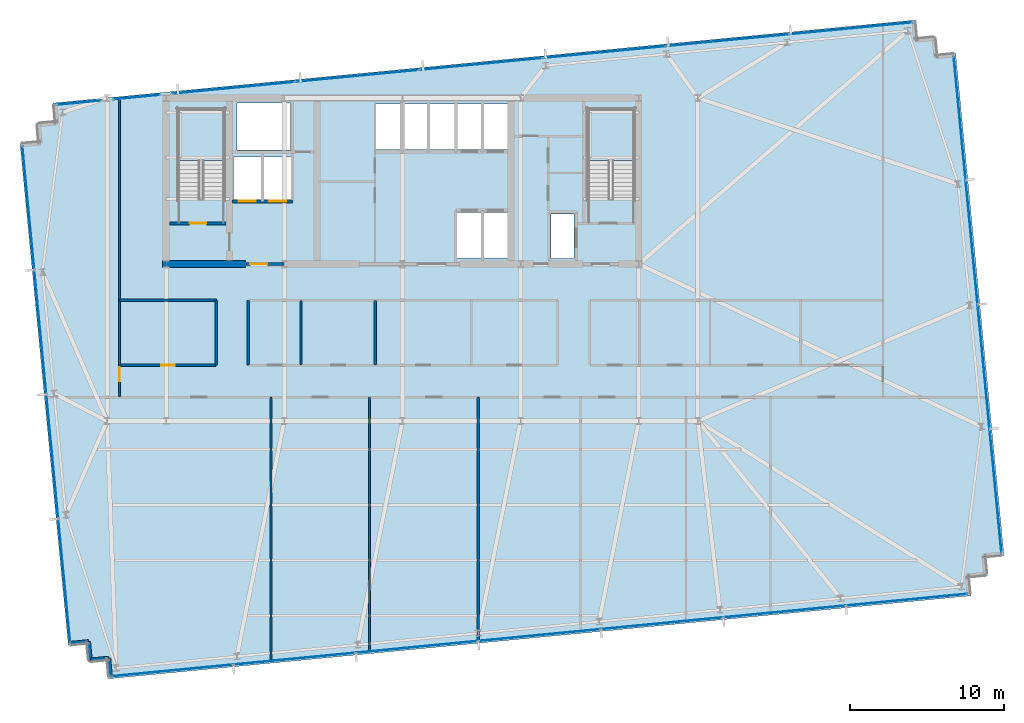
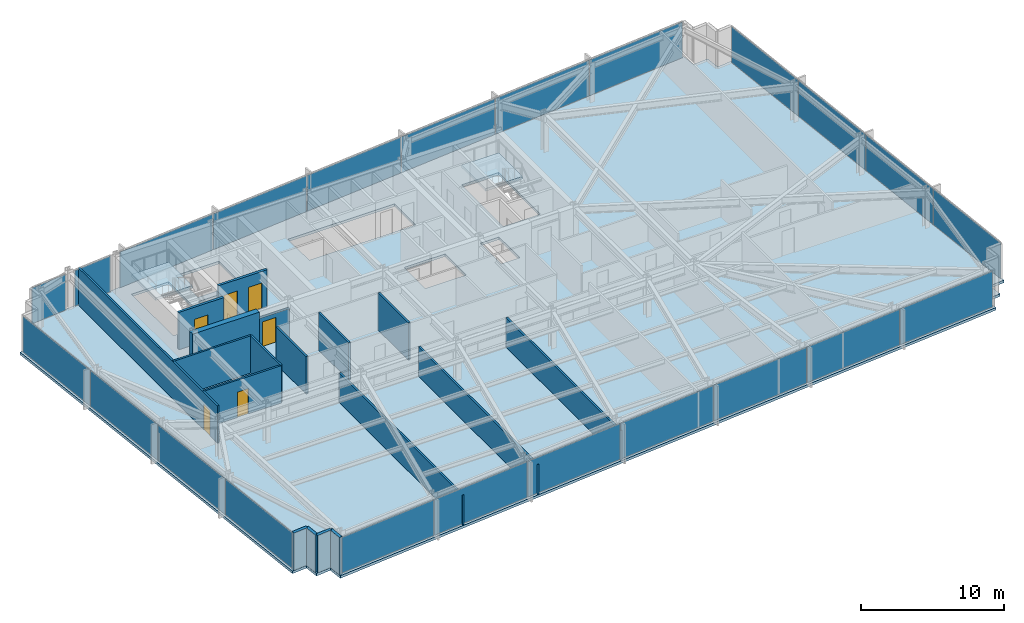
# One storey, part 24 of 33: 23 plates, 18 walls, 6 doors, 3 slabs, 6 openings, 8 elements without a shape of their own.
"""IFC4 building model written with IfcOpenShell, lengths in metres."""

from ifc_helpers import new_model, si_unit, direction, frame, frame_2d, origin, origin_2d, place, context, subcontext, project, spatial, polyline, rectangle, outline, extrude, material, layer, layer_set, type_object, element, fill, aggregate, save


model = new_model("IFC4")

# Units and contexts
model_context = context("Model", 3, precision=1e-05, world=origin(), true_north=direction((0.0, 1.0)))
body_context = subcontext(model_context, "Body", "Model", "MODEL_VIEW")
ifc_project = project(units=[si_unit("LENGTHUNIT", "METRE"), si_unit("AREAUNIT", "SQUARE_METRE"), si_unit("VOLUMEUNIT", "CUBIC_METRE"), si_unit("PLANEANGLEUNIT", "RADIAN"), si_unit("MASSUNIT", "GRAM", prefix="KILO")], contexts=[model_context])

# Site, building, storey
site_placement = place(None, origin())
site = spatial("IfcSite", under=ifc_project, at=site_placement, CompositionType="ELEMENT")
building_placement = place(site_placement, origin())
building = spatial("IfcBuilding", under=site, at=building_placement, Name="Yelkora Congress Tower", CompositionType="ELEMENT")
storey_placement = place(building_placement, frame((0.0, 0.0, 110.10009765625)))
storey = spatial("IfcBuildingStorey", under=building, at=storey_placement, Name="L29", CompositionType="ELEMENT", Elevation=110.10009765625)

# Curtain wall, plates
ifc_material_1 = material(Name="Anodised aluminium and insulated glass", Category="aluminium")
curtain_wall_type = type_object("IfcCurtainWallType", Name="CW-SYS-B2", PredefinedType="NOTDEFINED", material=ifc_material_1)
curtain_wall_1_placement = place(storey_placement, origin())
curtain_wall_1 = element("IfcCurtainWall", 1, at=curtain_wall_1_placement, inside=storey, type_object=curtain_wall_type, Name="L29 Unitised Curtain Wall 5", PredefinedType="NOTDEFINED")
ifc_material_2 = material(Name="Solar-control low-E glass unit B2", Category="glass")
ifc_layer_1 = layer(ifc_material_2, 0.0380859375)
ifc_layer_set_1 = layer_set([ifc_layer_1], Name="Solar-control low-E glass unit B2")
plate_type = type_object("IfcPlateType", Name="PLT-PN-B2", PredefinedType="CURTAIN_PANEL", material=ifc_layer_set_1)
plate_1_placement = place(storey_placement, frame((16.41650390625, 14.820068359375, 0.06494140625), z_axis=(0.0, 0.0, 1.0), x_axis=(-0.095842541913, 0.995396507508, 0.0)))
plate_1 = element("IfcPlate", 2, at=plate_1_placement, type_object=plate_type, Name="CW-B2 panel 1.1", PredefinedType="CURTAIN_PANEL", context=body_context, shape_type="SweptSolid", body=[
    extrude(rectangle(XDim=8.02490234375, YDim=0.0380859375, at=origin_2d()), origin(), (0.0, 0.0, 1.0), 3.050048828125),
])
plate_2_placement = place(storey_placement, frame((15.638916015625, 22.895263671875, 0.06494140625), z_axis=(0.0, 0.0, 1.0), x_axis=(-0.095842541913, 0.995396507508, 0.0)))
plate_2 = element("IfcPlate", 3, at=plate_2_placement, type_object=plate_type, Name="CW-B2 panel 2.1", PredefinedType="CURTAIN_PANEL", context=body_context, shape_type="SweptSolid", body=[
    extrude(rectangle(XDim=8.06005859375, YDim=0.0380859375, at=origin_2d()), origin(), (0.0, 0.0, 1.0), 3.050048828125),
])
plate_3_placement = place(storey_placement, frame((14.859619140625, 30.98779296875, 0.06494140625), z_axis=(0.0, 0.0, 1.0), x_axis=(-0.095842541913, 0.995396507508, 0.0)))
plate_3 = element("IfcPlate", 4, at=plate_3_placement, type_object=plate_type, Name="CW-B2 panel 3.1", PredefinedType="CURTAIN_PANEL", context=body_context, shape_type="SweptSolid", body=[
    extrude(rectangle(XDim=8.06005859375, YDim=0.0380859375, at=origin_2d()), origin(), (0.0, 0.0, 1.0), 3.050048828125),
])
plate_4_placement = place(storey_placement, frame((14.082275390625, 39.06298828125, 0.06494140625), z_axis=(0.0, 0.0, 1.0), x_axis=(-0.095842541913, 0.995396507508, 0.0)))
plate_4 = element("IfcPlate", 5, at=plate_4_placement, type_object=plate_type, Name="CW-B2 panel 4.1", PredefinedType="CURTAIN_PANEL", context=body_context, shape_type="SweptSolid", body=[
    extrude(rectangle(XDim=8.02490234375, YDim=0.0380859375, at=origin_2d()), origin(), (0.0, 0.0, 1.0), 3.050048828125),
])
aggregate(curtain_wall_1, [plate_1, plate_2, plate_3, plate_4])

# Curtain wall, plate
curtain_wall_2_placement = place(storey_placement, origin())
curtain_wall_2 = element("IfcCurtainWall", 6, at=curtain_wall_2_placement, inside=storey, type_object=curtain_wall_type, Name="L29 Unitised Curtain Wall 10 (1)", PredefinedType="NOTDEFINED")
plate_5_placement = place(storey_placement, frame((17.35888671875, 45.89111328125, 0.06494140625), z_axis=(0.0, 0.0, 1.0), x_axis=(0.99539681521, 0.095839346142, 0.0)))
plate_5 = element("IfcPlate", 7, at=plate_5_placement, type_object=plate_type, Name="CW-B2 panel 1.1", PredefinedType="CURTAIN_PANEL", context=body_context, shape_type="SweptSolid", body=[
    extrude(rectangle(XDim=2.89208984375, YDim=0.0380859375, at=origin_2d()), origin(), (0.0, 0.0, 1.0), 3.050048828125),
])
aggregate(curtain_wall_2, [plate_5])

curtain_wall_3_placement = place(storey_placement, origin())
curtain_wall_3 = element("IfcCurtainWall", 8, at=curtain_wall_3_placement, inside=storey, type_object=curtain_wall_type, Name="L29 Unitised Curtain Wall 10 (2)", PredefinedType="NOTDEFINED")
plate_6_placement = place(storey_placement, frame((21.1201171875, 46.253173828125, 0.06494140625), z_axis=(0.0, 0.0, 1.0), x_axis=(0.99539661748, 0.095841399764, 0.0)))
plate_6 = element("IfcPlate", 9, at=plate_6_placement, type_object=plate_type, Name="CW-B2 panel 1.1", PredefinedType="CURTAIN_PANEL", context=body_context, shape_type="SweptSolid", body=[
    extrude(rectangle(XDim=3.05078125, YDim=0.0380859375, at=origin_2d()), origin(), (0.0, 0.0, 1.0), 3.050048828125),
])
aggregate(curtain_wall_3, [plate_6])

# Curtain wall, plates
curtain_wall_4_placement = place(storey_placement, origin())
curtain_wall_4 = element("IfcCurtainWall", 10, at=curtain_wall_4_placement, inside=storey, type_object=curtain_wall_type, Name="L29 Unitised Curtain Wall 10 (3)", PredefinedType="NOTDEFINED")
plate_7_placement = place(storey_placement, frame((27.409423828125, 46.858642578125, 0.06494140625), z_axis=(0.0, 0.0, 1.0), x_axis=(0.995396344153, 0.095844238468, 0.0)))
plate_7 = element("IfcPlate", 11, at=plate_7_placement, type_object=plate_type, Name="CW-B2 panel 1.1", PredefinedType="CURTAIN_PANEL", context=body_context, shape_type="SweptSolid", body=[
    extrude(rectangle(XDim=7.97216796875, YDim=0.0380859375, at=origin_2d()), origin(), (0.0, 0.0, 1.0), 3.050048828125),
])
plate_8_placement = place(storey_placement, frame((35.431884765625, 47.631103515625, 0.06494140625), z_axis=(0.0, 0.0, 1.0), x_axis=(0.995396344153, 0.095844238468, 0.0)))
plate_8 = element("IfcPlate", 12, at=plate_8_placement, type_object=plate_type, Name="CW-B2 panel 2.1", PredefinedType="CURTAIN_PANEL", context=body_context, shape_type="SweptSolid", body=[
    extrude(rectangle(XDim=8.007080078125, YDim=0.0380859375, at=origin_2d()), origin(), (0.0, 0.0, 1.0), 3.050048828125),
])
plate_9_placement = place(storey_placement, frame((43.471923828125, 48.4052734375, 0.06494140625), z_axis=(0.0, 0.0, 1.0), x_axis=(0.995396344153, 0.095844238468, 0.0)))
plate_9 = element("IfcPlate", 13, at=plate_9_placement, type_object=plate_type, Name="CW-B2 panel 3.1", PredefinedType="CURTAIN_PANEL", context=body_context, shape_type="SweptSolid", body=[
    extrude(rectangle(XDim=8.007080078125, YDim=0.0380859375, at=origin_2d()), origin(), (0.0, 0.0, 1.0), 3.050048828125),
])
plate_10_placement = place(storey_placement, frame((51.511962890625, 49.179443359375, 0.06494140625), z_axis=(0.0, 0.0, 1.0), x_axis=(0.995396344153, 0.095844238468, 0.0)))
plate_10 = element("IfcPlate", 14, at=plate_10_placement, type_object=plate_type, Name="CW-B2 panel 4.1", PredefinedType="CURTAIN_PANEL", context=body_context, shape_type="SweptSolid", body=[
    extrude(rectangle(XDim=8.007080078125, YDim=0.0380859375, at=origin_2d()), origin(), (0.0, 0.0, 1.0), 3.050048828125),
])
plate_11_placement = place(storey_placement, frame((59.552001953125, 49.95361328125, 0.06494140625), z_axis=(0.0, 0.0, 1.0), x_axis=(0.995396344153, 0.095844238468, 0.0)))
plate_11 = element("IfcPlate", 15, at=plate_11_placement, type_object=plate_type, Name="CW-B2 panel 5.1", PredefinedType="CURTAIN_PANEL", context=body_context, shape_type="SweptSolid", body=[
    extrude(rectangle(XDim=8.007080078125, YDim=0.0380859375, at=origin_2d()), origin(), (0.0, 0.0, 1.0), 3.050048828125),
])
plate_12_placement = place(storey_placement, frame((67.574462890625, 50.72607421875, 0.06494140625), z_axis=(0.0, 0.0, 1.0), x_axis=(0.995396344153, 0.095844238468, 0.0)))
plate_12 = element("IfcPlate", 16, at=plate_12_placement, type_object=plate_type, Name="CW-B2 panel 6.1", PredefinedType="CURTAIN_PANEL", context=body_context, shape_type="SweptSolid", body=[
    extrude(rectangle(XDim=7.97216796875, YDim=0.0380859375, at=origin_2d()), origin(), (0.0, 0.0, 1.0), 3.050048828125),
])
aggregate(curtain_wall_4, [plate_7, plate_8, plate_9, plate_10, plate_11, plate_12])

curtain_wall_5_placement = place(storey_placement, origin())
curtain_wall_5 = element("IfcCurtainWall", 17, at=curtain_wall_5_placement, inside=storey, type_object=curtain_wall_type, Name="L29 Unitised Curtain Wall 15", PredefinedType="NOTDEFINED")
plate_13_placement = place(storey_placement, frame((74.6220703125, 44.892333984375, 0.06494140625), z_axis=(0.0, 0.0, 1.0), x_axis=(0.095842541913, -0.995396507508, 0.0)))
plate_13 = element("IfcPlate", 18, at=plate_13_placement, type_object=plate_type, Name="CW-B2 panel 1.1", PredefinedType="CURTAIN_PANEL", context=body_context, shape_type="SweptSolid", body=[
    extrude(rectangle(XDim=8.02490234375, YDim=0.0380859375, at=origin_2d()), origin(), (0.0, 0.0, 1.0), 3.050048828125),
])
plate_14_placement = place(storey_placement, frame((75.399658203125, 36.817138671875, 0.06494140625), z_axis=(0.0, 0.0, 1.0), x_axis=(0.095842541913, -0.995396507508, 0.0)))
plate_14 = element("IfcPlate", 19, at=plate_14_placement, type_object=plate_type, Name="CW-B2 panel 2.1", PredefinedType="CURTAIN_PANEL", context=body_context, shape_type="SweptSolid", body=[
    extrude(rectangle(XDim=8.06005859375, YDim=0.0380859375, at=origin_2d()), origin(), (0.0, 0.0, 1.0), 3.050048828125),
])
plate_15_placement = place(storey_placement, frame((76.178955078125, 28.724609375, 0.06494140625), z_axis=(0.0, 0.0, 1.0), x_axis=(0.095842541913, -0.995396507508, 0.0)))
plate_15 = element("IfcPlate", 20, at=plate_15_placement, type_object=plate_type, Name="CW-B2 panel 3.1", PredefinedType="CURTAIN_PANEL", context=body_context, shape_type="SweptSolid", body=[
    extrude(rectangle(XDim=8.06005859375, YDim=0.0380859375, at=origin_2d()), origin(), (0.0, 0.0, 1.0), 3.050048828125),
])
plate_16_placement = place(storey_placement, frame((76.95654296875, 20.6494140625, 0.06494140625), z_axis=(0.0, 0.0, 1.0), x_axis=(0.095842541913, -0.995396507508, 0.0)))
plate_16 = element("IfcPlate", 21, at=plate_16_placement, type_object=plate_type, Name="CW-B2 panel 4.1", PredefinedType="CURTAIN_PANEL", context=body_context, shape_type="SweptSolid", body=[
    extrude(rectangle(XDim=8.02490234375, YDim=0.0380859375, at=origin_2d()), origin(), (0.0, 0.0, 1.0), 3.050048828125),
])
aggregate(curtain_wall_5, [plate_13, plate_14, plate_15, plate_16])

curtain_wall_6_placement = place(storey_placement, origin())
curtain_wall_6 = element("IfcCurtainWall", 22, at=curtain_wall_6_placement, inside=storey, type_object=curtain_wall_type, Name="L29 Unitised Curtain Wall 20", PredefinedType="NOTDEFINED")
plate_17_placement = place(storey_placement, frame((71.1884765625, 13.58154296875, 0.06494140625), z_axis=(0.0, 0.0, 1.0), x_axis=(-0.995396333816, -0.095844345816, 0.0)))
plate_17 = element("IfcPlate", 23, at=plate_17_placement, type_object=plate_type, Name="CW-B2 panel 1.1", PredefinedType="CURTAIN_PANEL", context=body_context, shape_type="SweptSolid", body=[
    extrude(rectangle(XDim=7.89794921875, YDim=0.0380859375, at=origin_2d()), origin(), (0.0, 0.0, 1.0), 3.050048828125),
])
plate_18_placement = place(storey_placement, frame((63.23974609375, 12.816162109375, 0.06494140625), z_axis=(0.0, 0.0, 1.0), x_axis=(-0.995396333816, -0.095844345816, 0.0)))
plate_18 = element("IfcPlate", 24, at=plate_18_placement, type_object=plate_type, Name="CW-B2 panel 2.1", PredefinedType="CURTAIN_PANEL", context=body_context, shape_type="SweptSolid", body=[
    extrude(rectangle(XDim=7.932861328125, YDim=0.0380859375, at=origin_2d()), origin(), (0.0, 0.0, 1.0), 3.050048828125),
])
plate_19_placement = place(storey_placement, frame((55.273681640625, 12.049072265625, 0.06494140625), z_axis=(0.0, 0.0, 1.0), x_axis=(-0.995396333816, -0.095844345816, 0.0)))
plate_19 = element("IfcPlate", 25, at=plate_19_placement, type_object=plate_type, Name="CW-B2 panel 3.1", PredefinedType="CURTAIN_PANEL", context=body_context, shape_type="SweptSolid", body=[
    extrude(rectangle(XDim=7.932861328125, YDim=0.0380859375, at=origin_2d()), origin(), (0.0, 0.0, 1.0), 3.050048828125),
])
plate_20_placement = place(storey_placement, frame((47.307861328125, 11.281982421875, 0.06494140625), z_axis=(0.0, 0.0, 1.0), x_axis=(-0.995396333816, -0.095844345816, 0.0)))
plate_20 = element("IfcPlate", 26, at=plate_20_placement, type_object=plate_type, Name="CW-B2 panel 4.1", PredefinedType="CURTAIN_PANEL", context=body_context, shape_type="SweptSolid", body=[
    extrude(rectangle(XDim=7.932861328125, YDim=0.0380859375, at=origin_2d()), origin(), (0.0, 0.0, 1.0), 3.050048828125),
])
plate_21_placement = place(storey_placement, frame((39.341796875, 10.51513671875, 0.06494140625), z_axis=(0.0, 0.0, 1.0), x_axis=(-0.995396333816, -0.095844345816, 0.0)))
plate_21 = element("IfcPlate", 27, at=plate_21_placement, type_object=plate_type, Name="CW-B2 panel 5.1", PredefinedType="CURTAIN_PANEL", context=body_context, shape_type="SweptSolid", body=[
    extrude(rectangle(XDim=7.932861328125, YDim=0.0380859375, at=origin_2d()), origin(), (0.0, 0.0, 1.0), 3.050048828125),
])
plate_22_placement = place(storey_placement, frame((31.375732421875, 9.748046875, 0.06494140625), z_axis=(0.0, 0.0, 1.0), x_axis=(-0.995396333816, -0.095844345816, 0.0)))
plate_22 = element("IfcPlate", 28, at=plate_22_placement, type_object=plate_type, Name="CW-B2 panel 6.1", PredefinedType="CURTAIN_PANEL", context=body_context, shape_type="SweptSolid", body=[
    extrude(rectangle(XDim=7.932861328125, YDim=0.0380859375, at=origin_2d()), origin(), (0.0, 0.0, 1.0), 3.050048828125),
])
plate_23_placement = place(storey_placement, frame((23.42724609375, 8.982666015625, 0.06494140625), z_axis=(0.0, 0.0, 1.0), x_axis=(-0.995396333816, -0.095844345816, 0.0)))
plate_23 = element("IfcPlate", 29, at=plate_23_placement, type_object=plate_type, Name="CW-B2 panel 7.1", PredefinedType="CURTAIN_PANEL", context=body_context, shape_type="SweptSolid", body=[
    extrude(rectangle(XDim=7.89794921875, YDim=0.0380859375, at=origin_2d()), origin(), (0.0, 0.0, 1.0), 3.050048828125),
])
aggregate(curtain_wall_6, [plate_17, plate_18, plate_19, plate_20, plate_21, plate_22, plate_23])

# Stair, slab
ifc_material_3 = material(Name="Concrete C40/50", Category="concrete")
stair_type = type_object("IfcStairType", Name="STAIR-HT-1420-R20-170", PredefinedType="HALF_TURN_STAIR", material=ifc_material_3)
stair_1_placement = place(storey_placement, origin())
stair_1 = element("IfcStair", 30, at=stair_1_placement, inside=storey, type_object=stair_type, Name="West Core Protected Exit Stair ST-01 (L29)", PredefinedType="HALF_TURN_STAIR")
ifc_layer_2 = layer(ifc_material_3, 0.219970703125)
ifc_layer_set_2 = layer_set([ifc_layer_2], Name="Concrete C40/50")
slab_type_1 = type_object("IfcSlabType", Name="SLAB-LANDING-220", PredefinedType="LANDING", material=ifc_layer_set_2)
slab_1_placement = place(storey_placement, frame((0.0, 0.0, 1.47998046875)))
slab_1 = element("IfcSlab", 31, at=slab_1_placement, type_object=slab_type_1, Name="ST-01 L29 Half Landing 1", PredefinedType="LANDING", context=body_context, shape_type="SweptSolid", body=[
    extrude(outline(polyline([(26.820068359375, 42.1201171875), (26.820068359375, 45.469970703125), (23.820068359375, 45.469970703125), (23.820068359375, 42.1201171875), (26.820068359375, 42.1201171875)])), origin(), (0.0, 0.0, 1.0), 0.219970703125),
])
aggregate(stair_1, [slab_1])

stair_2_placement = place(storey_placement, origin())
stair_2 = element("IfcStair", 32, at=stair_2_placement, inside=storey, type_object=stair_type, Name="East Core Protected Exit Stair ST-02 (L29)", PredefinedType="HALF_TURN_STAIR")
slab_2_placement = place(storey_placement, frame((0.0, 0.0, 1.47998046875)))
slab_2 = element("IfcSlab", 33, at=slab_2_placement, type_object=slab_type_1, Name="ST-02 L29 Half Landing 1", PredefinedType="LANDING", context=body_context, shape_type="SweptSolid", body=[
    extrude(outline(polyline([(53.4599609375, 42.1201171875), (53.4599609375, 45.469970703125), (50.4599609375, 45.469970703125), (50.4599609375, 42.1201171875), (53.4599609375, 42.1201171875)])), origin(), (0.0, 0.0, 1.0), 0.219970703125),
])
aggregate(stair_2, [slab_2])

# Slab
ifc_layer_3 = layer(ifc_material_3, 0.219970703125)
ifc_layer_set_3 = layer_set([ifc_layer_3], Name="Concrete C40/50")
slab_type_2 = type_object("IfcSlabType", Name="SLAB-TWR-220", PredefinedType="FLOOR", material=ifc_layer_set_3)
slab_3_placement = place(storey_placement, frame((0.0, 0.0, -0.22021484375)))
element("IfcSlab", 34, at=slab_3_placement, inside=storey, type_object=slab_type_2, Name="L29 Structural Floor Slab", PredefinedType="FLOOR", context=body_context, shape_type="SweptSolid", body=[
    extrude(outline(polyline([(19.30078125, 8.444580078125), (75.341552734375, 13.8408203125), (75.2265625, 15.035400390625), (76.421142578125, 15.150390625), (76.30615234375, 16.3447265625), (77.50048828125, 16.459716796875), (74.356689453125, 49.10888671875), (73.162353515625, 48.99365234375), (73.04736328125, 50.188232421875), (71.852783203125, 50.0732421875), (71.73779296875, 51.267578125), (15.697021484375, 45.87158203125), (15.81201171875, 44.677001953125), (14.61767578125, 44.56201171875), (14.732666015625, 43.36767578125), (13.5380859375, 43.252685546875), (16.681884765625, 10.603515625), (17.876220703125, 10.718505859375), (17.9912109375, 9.524169921875), (19.185791015625, 9.63916015625), (19.30078125, 8.444580078125)]), holes=[polyline([(23.820068359375, 39.6298828125), (26.820068359375, 39.6298828125), (26.820068359375, 45.469970703125), (23.820068359375, 45.469970703125), (23.820068359375, 39.6298828125)]), polyline([(50.4599609375, 39.6298828125), (53.4599609375, 39.6298828125), (53.4599609375, 45.469970703125), (50.4599609375, 45.469970703125), (50.4599609375, 39.6298828125)]), polyline([(48.050048828125, 35.75), (49.550048828125, 35.75), (49.550048828125, 38.64990234375), (48.050048828125, 38.64990234375), (48.050048828125, 35.75)]), polyline([(36.64990234375, 42.85009765625), (45.25, 42.85009765625), (45.25, 45.800048828125), (36.64990234375, 45.800048828125), (36.64990234375, 42.85009765625)]), polyline([(41.949951171875, 35.800048828125), (45.25, 35.800048828125), (45.25, 38.75), (41.949951171875, 38.75), (41.949951171875, 35.800048828125)]), polyline([(27.419921875, 39.60009765625), (31.179931640625, 39.60009765625), (31.179931640625, 42.35009765625), (27.419921875, 42.35009765625), (27.419921875, 39.60009765625)]), polyline([(27.64990234375, 42.820068359375), (31.1201171875, 42.820068359375), (31.1201171875, 45.8798828125), (27.64990234375, 45.8798828125), (27.64990234375, 42.820068359375)])]), origin(), (0.0, 0.0, 1.0), 0.22021484375),
])

# Walls
ifc_material_4 = material(Name="Concrete C60/75", Category="concrete")
ifc_layer_4 = layer(ifc_material_4, 0.449951171875)
ifc_layer_set_4 = layer_set([ifc_layer_4], Name="Concrete C60/75")
wall_type_1 = type_object("IfcWallType", Name="WALL-CORE-INT-450", PredefinedType="SHEAR", material=ifc_layer_set_4)
wall_1_placement = place(storey_placement, frame((22.81494140625, 35.39990234375, 0.0), z_axis=(0.0, 0.0, 1.0), x_axis=(1.0, 0.0, 0.0)))
element("IfcWall", 35, at=wall_1_placement, inside=storey, type_object=wall_type_1, Name="L29 Rear Core South-West Shear Wall", PredefinedType="SHEAR", context=body_context, shape_type="SweptSolid", body=[
    extrude(rectangle(XDim=5.385009765625, YDim=0.449951171875, at=frame_2d((2.6923828125, 0.0))), origin(), (0.0, 0.0, 1.0), 3.179931640625),
])
ifc_layer_5 = layer(ifc_material_3, 0.239990234375)
ifc_layer_set_5 = layer_set([ifc_layer_5], Name="Concrete C40/50")
wall_type_2 = type_object("IfcWallType", Name="WALL-EXT-LIMESTONE-240", PredefinedType="SOLIDWALL", material=ifc_layer_set_5)
for number, where, z_axis, x_axis, name in (
    (36, (19.4267578125, 8.597412109375, 0.0), (0.0, 0.0, 1.0), (-0.095817067274, 0.995398960025, 0.0), "L29 Serrated Corner Limestone Pier 1"),
    (37, (19.311767578125, 9.7919921875, 0.0), (0.0, 0.0, 1.0), (-0.995398960025, -0.095817067274, 0.0), "L29 Serrated Corner Limestone Pier 2"),
):
    element("IfcWall", number, at=place(storey_placement, frame(where, z_axis=z_axis, x_axis=x_axis)), inside=storey, type_object=wall_type_2, Name=name, PredefinedType="SOLIDWALL", context=body_context, shape_type="SweptSolid", body=[
        extrude(rectangle(XDim=1.2001953125, YDim=0.239990234375, at=frame_2d((0.60009765625, 0.0))), origin(), (0.0, 0.0, 1.0), 3.179931640625),
    ])
wall_2_placement = place(storey_placement, frame((18.1171875, 9.677001953125, 0.0), z_axis=(0.0, 0.0, 1.0), x_axis=(-0.095836473879, 0.995397091755, 0.0)))
element("IfcWall", 38, at=wall_2_placement, inside=storey, type_object=wall_type_2, Name="L29 Serrated Corner Limestone Pier 3", PredefinedType="SOLIDWALL", context=body_context, shape_type="SweptSolid", body=[
    extrude(rectangle(XDim=1.199951171875, YDim=0.239990234375, at=frame_2d((0.60009765625, 0.0))), origin(), (0.0, 0.0, 1.0), 3.179931640625),
])
wall_3_placement = place(storey_placement, frame((18.002197265625, 10.871337890625, 0.0), z_axis=(0.0, 0.0, 1.0), x_axis=(-0.995398960025, -0.095817067274, 0.0)))
element("IfcWall", 39, at=wall_3_placement, inside=storey, type_object=wall_type_2, Name="L29 Serrated Corner Limestone Pier 4", PredefinedType="SOLIDWALL", context=body_context, shape_type="SweptSolid", body=[
    extrude(rectangle(XDim=1.2001953125, YDim=0.239990234375, at=frame_2d((0.60009765625, 0.0))), origin(), (0.0, 0.0, 1.0), 3.179931640625),
])
ifc_material_5 = material(Name="Acoustic metal-stud gypsum partition", Category="gypsum")
ifc_layer_6 = layer(ifc_material_5, 0.14990234375)
ifc_layer_set_6 = layer_set([ifc_layer_6], Name="Acoustic metal-stud gypsum partition")
wall_type_3 = type_object("IfcWallType", Name="WALL-INT-150-NR", PredefinedType="PARTITIONING", material=ifc_layer_set_6)
wall_4_placement = place(storey_placement, frame((29.85791015625, 9.54150390625, 0.0), z_axis=(0.0, 0.0, 1.0), x_axis=(0.0, 1.0, 0.0)))
element("IfcWall", 40, at=wall_4_placement, inside=storey, type_object=wall_type_3, Name="L29 Partition Wall 27", PredefinedType="PARTITIONING", context=body_context, shape_type="SweptSolid", body=[
    extrude(rectangle(XDim=17.228515625, YDim=0.14990234375, at=frame_2d((8.6142578125, 0.0))), origin(), (0.0, 0.0, 1.0), 2.52490234375),
])
wall_5_placement = place(storey_placement, frame((36.259033203125, 10.157958984375, 0.0), z_axis=(0.0, 0.0, 1.0), x_axis=(0.0, 1.0, 0.0)))
element("IfcWall", 41, at=wall_5_placement, inside=storey, type_object=wall_type_3, Name="L29 Partition Wall 28", PredefinedType="PARTITIONING", context=body_context, shape_type="SweptSolid", body=[
    extrude(rectangle(XDim=16.612060546875, YDim=0.14990234375, at=frame_2d((8.30615234375, 0.0))), origin(), (0.0, 0.0, 1.0), 2.52490234375),
])
wall_6_placement = place(storey_placement, frame((43.333984375, 10.839111328125, 0.0), z_axis=(0.0, 0.0, 1.0), x_axis=(0.0, 1.0, 0.0)))
element("IfcWall", 42, at=wall_6_placement, inside=storey, type_object=wall_type_3, Name="L29 Partition Wall 29", PredefinedType="PARTITIONING", context=body_context, shape_type="SweptSolid", body=[
    extrude(rectangle(XDim=15.930908203125, YDim=0.14990234375, at=frame_2d((7.96533203125, 0.0))), origin(), (0.0, 0.0, 1.0), 2.52490234375),
])

# Wall, opening, door
wall_7_placement = place(storey_placement, frame((20.008056640625, 26.75, 0.0), z_axis=(0.0, 0.0, 1.0), x_axis=(0.0, 1.0, 0.0)))
wall_7 = element("IfcWall", 43, at=wall_7_placement, inside=storey, type_object=wall_type_3, Name="L29 Partition Wall 34", PredefinedType="PARTITIONING", context=body_context, shape_type="SweptSolid", body=[
    extrude(rectangle(XDim=19.456298828125, YDim=0.14990234375, at=frame_2d((9.72802734375, 0.0))), origin(), (0.0, 0.0, 1.0), 3.179931640625),
])
opening_1_placement = place(wall_7_placement, frame((1.030029296875, 0.0, 0.0)))
opening_1 = element("IfcOpeningElement", 44, at=opening_1_placement, cuts=wall_7, Name="Opening DR-090N", PredefinedType="OPENING", context=body_context, shape_type="SweptSolid", body=[
    extrude(rectangle(XDim=0.89990234375, YDim=2.14990234375, at=frame_2d((0.449951171875, 1.074951171875))), frame((0.0, 0.0849609375, 0.0), z_axis=(0.0, -1.0, 0.0), x_axis=(1.0, 0.0, 0.0)), (0.0, 0.0, 1.0), 0.169921875),
])
ifc_material_6 = material(Name="Moisture-resistant laminate door leaf", Category="wood")
door_type_1 = type_object("IfcDoorType", Name="DOOR-INT-900", OperationType="NOTDEFINED", PredefinedType="DOOR", material=ifc_material_6)
door_1_placement = place(opening_1_placement, origin())
door_1 = element("IfcDoor", 45, at=door_1_placement, inside=storey, type_object=door_type_1, Name="L29 W Wing Door", OperationType="SINGLE_SWING_RIGHT", OverallHeight=2.14990234375, OverallWidth=0.89990234375, PredefinedType="DOOR", context=body_context, shape_type="SweptSolid", body=[
    extrude(rectangle(XDim=0.89990234375, YDim=2.14990234375, at=frame_2d((0.449951171875, 1.074951171875))), frame((0.0, 0.02490234375, 0.0), z_axis=(0.0, -1.0, 0.0), x_axis=(1.0, 0.0, 0.0)), (0.0, 0.0, 1.0), 0.050048828125),
])
fill(opening_1, door_1)

# Walls
for number, where, z_axis, x_axis, name in (
    (46, (26.300048828125, 28.830078125, 0.0), (0.0, 0.0, 1.0), (0.0, 1.0, 0.0), "L29 Partition Wall 36"),
    (47, (28.3798828125, 28.830078125, 0.0), (0.0, 0.0, 1.0), (0.0, 1.0, 0.0), "L29 Partition Wall 37"),
):
    element("IfcWall", number, at=place(storey_placement, frame(where, z_axis=z_axis, x_axis=x_axis)), inside=storey, type_object=wall_type_3, Name=name, PredefinedType="PARTITIONING", context=body_context, shape_type="SweptSolid", body=[
        extrude(rectangle(XDim=4.219970703125, YDim=0.14990234375, at=frame_2d((2.10986328125, 0.0))), origin(), (0.0, 0.0, 1.0), 3.179931640625),
    ])
wall_8_placement = place(storey_placement, frame((20.008056640625, 33.050048828125, 0.0), z_axis=(0.0, 0.0, 1.0), x_axis=(1.0, 0.0, 0.0)))
element("IfcWall", 48, at=wall_8_placement, inside=storey, type_object=wall_type_3, Name="L29 Partition Wall 40", PredefinedType="PARTITIONING", context=body_context, shape_type="SweptSolid", body=[
    extrude(rectangle(XDim=6.2919921875, YDim=0.14990234375, at=frame_2d((3.14599609375, 0.0))), origin(), (0.0, 0.0, 1.0), 3.179931640625),
])

# Wall, opening, door
wall_9_placement = place(storey_placement, frame((20.028076171875, 28.830078125, 0.0), z_axis=(0.0, 0.0, 1.0), x_axis=(1.0, 0.0, 0.0)))
wall_9 = element("IfcWall", 49, at=wall_9_placement, inside=storey, type_object=wall_type_3, Name="L29 Partition Wall 43", PredefinedType="PARTITIONING", context=body_context, shape_type="SweptSolid", body=[
    extrude(rectangle(XDim=6.261962890625, YDim=0.14990234375, at=frame_2d((3.130859375, 0.0))), origin(), (0.0, 0.0, 1.0), 3.179931640625),
])
opening_2_placement = place(wall_9_placement, frame((2.680908203125, 0.0, 0.0)))
opening_2 = element("IfcOpeningElement", 50, at=opening_2_placement, cuts=wall_9, Name="Opening DR-090N", PredefinedType="OPENING", context=body_context, shape_type="SweptSolid", body=[
    extrude(rectangle(XDim=0.89990234375, YDim=2.14990234375, at=frame_2d((0.449951171875, 1.074951171875))), frame((0.0, 0.0849609375, 0.0), z_axis=(0.0, -1.0, 0.0), x_axis=(1.0, 0.0, 0.0)), (0.0, 0.0, 1.0), 0.169921875),
])
door_2_placement = place(opening_2_placement, origin())
door_2 = element("IfcDoor", 51, at=door_2_placement, inside=storey, type_object=door_type_1, Name="L29 Fitness Yoga Studio Door", OperationType="SINGLE_SWING_RIGHT", OverallHeight=2.14990234375, OverallWidth=0.89990234375, PredefinedType="DOOR", context=body_context, shape_type="SweptSolid", body=[
    extrude(rectangle(XDim=0.89990234375, YDim=2.14990234375, at=frame_2d((0.449951171875, 1.074951171875))), frame((0.0, 0.02490234375, 0.0), z_axis=(0.0, -1.0, 0.0), x_axis=(1.0, 0.0, 0.0)), (0.0, 0.0, 1.0), 0.050048828125),
])
fill(opening_2, door_2)

# Walls
for number, where, z_axis, x_axis, name in (
    (52, (31.806884765625, 28.830078125, 0.0), (0.0, 0.0, 1.0), (0.0, 1.0, 0.0), "L29 Partition Wall 44"),
    (53, (36.631103515625, 28.830078125, 0.0), (0.0, 0.0, 1.0), (0.0, 1.0, 0.0), "L29 Partition Wall 45"),
):
    element("IfcWall", number, at=place(storey_placement, frame(where, z_axis=z_axis, x_axis=x_axis)), inside=storey, type_object=wall_type_3, Name=name, PredefinedType="PARTITIONING", context=body_context, shape_type="SweptSolid", body=[
        extrude(rectangle(XDim=4.219970703125, YDim=0.14990234375, at=frame_2d((2.10986328125, 0.0))), origin(), (0.0, 0.0, 1.0), 3.179931640625),
    ])

# Wall, opening, door
ifc_material_7 = material(Name="Autoclaved aerated concrete blockwork", Category="masonry")
ifc_layer_7 = layer(ifc_material_7, 0.199951171875)
ifc_layer_set_7 = layer_set([ifc_layer_7], Name="Autoclaved aerated concrete blockwork")
wall_type_4 = type_object("IfcWallType", Name="WALL-INT-200-R120", PredefinedType="PARTITIONING", material=ifc_layer_set_7)
wall_10_placement = place(storey_placement, frame((23.300048828125, 38.050048828125, 0.0), z_axis=(0.0, 0.0, 1.0), x_axis=(1.0, 0.0, 0.0)))
wall_10 = element("IfcWall", 54, at=wall_10_placement, inside=storey, type_object=wall_type_4, Name="L29 Stair ST-01 Enclosure Wall", PredefinedType="PARTITIONING", context=body_context, shape_type="SweptSolid", body=[
    extrude(rectangle(XDim=3.619873046875, YDim=0.199951171875, at=frame_2d((1.81005859375, 0.0))), origin(), (0.0, 0.0, 1.0), 3.179931640625),
])
opening_3_placement = place(wall_10_placement, frame((1.260009765625, 0.0, 0.0)))
opening_3 = element("IfcOpeningElement", 55, at=opening_3_placement, cuts=wall_10, Name="Opening DR-110F9", PredefinedType="OPENING", context=body_context, shape_type="SweptSolid", body=[
    extrude(rectangle(XDim=1.10009765625, YDim=2.14990234375, at=frame_2d((0.550048828125, 1.074951171875))), frame((0.0, 0.10986328125, 0.0), z_axis=(0.0, -1.0, 0.0), x_axis=(1.0, 0.0, 0.0)), (0.0, 0.0, 1.0), 0.219970703125),
])
ifc_material_8 = material(Name="Galvanised steel fire door leaf", Category="steel")
door_type_2 = type_object("IfcDoorType", Name="DOOR-FD90-1100", OperationType="NOTDEFINED", PredefinedType="DOOR", material=ifc_material_8)
door_3_placement = place(opening_3_placement, origin())
door_3 = element("IfcDoor", 56, at=door_3_placement, inside=storey, type_object=door_type_2, Name="L29 Stair ST-01 Entry Door", OperationType="SINGLE_SWING_LEFT", OverallHeight=2.14990234375, OverallWidth=1.10009765625, PredefinedType="DOOR", context=body_context, shape_type="SweptSolid", body=[
    extrude(rectangle(XDim=1.10009765625, YDim=2.14990234375, at=frame_2d((0.550048828125, 1.074951171875))), frame((0.0, 0.02490234375, 0.0), z_axis=(0.0, -1.0, 0.0), x_axis=(1.0, 0.0, 0.0)), (0.0, 0.0, 1.0), 0.050048828125),
])
fill(opening_3, door_3)

wall_11_placement = place(storey_placement, frame((28.219970703125, 35.39990234375, 0.0), z_axis=(0.0, 0.0, 1.0), x_axis=(1.0, 0.0, 0.0)))
wall_11 = element("IfcWall", 57, at=wall_11_placement, inside=storey, type_object=wall_type_4, Name="L29 Firefighting Lobby South Wall", PredefinedType="PARTITIONING", context=body_context, shape_type="SweptSolid", body=[
    extrude(rectangle(XDim=2.5, YDim=0.199951171875, at=frame_2d((1.25, 0.0))), origin(), (0.0, 0.0, 1.0), 2.52490234375),
])
opening_4_placement = place(wall_11_placement, frame((0.300048828125, 0.0, 0.0)))
opening_4 = element("IfcOpeningElement", 58, at=opening_4_placement, cuts=wall_11, Name="Opening DR-110F9", PredefinedType="OPENING", context=body_context, shape_type="SweptSolid", body=[
    extrude(rectangle(XDim=1.10009765625, YDim=2.14990234375, at=frame_2d((0.550048828125, 1.074951171875))), frame((0.0, 0.10986328125, 0.0), z_axis=(0.0, -1.0, 0.0), x_axis=(1.0, 0.0, 0.0)), (0.0, 0.0, 1.0), 0.219970703125),
])
door_4_placement = place(opening_4_placement, origin())
door_4 = element("IfcDoor", 59, at=door_4_placement, inside=storey, type_object=door_type_2, Name="L29 Firefighting Lobby Corridor Door", OperationType="SINGLE_SWING_RIGHT", OverallHeight=2.14990234375, OverallWidth=1.10009765625, PredefinedType="DOOR", context=body_context, shape_type="SweptSolid", body=[
    extrude(rectangle(XDim=1.10009765625, YDim=2.14990234375, at=frame_2d((0.550048828125, 1.074951171875))), frame((0.0, 0.02490234375, 0.0), z_axis=(0.0, -1.0, 0.0), x_axis=(1.0, 0.0, 0.0)), (0.0, 0.0, 1.0), 0.050048828125),
])
fill(opening_4, door_4)

# Wall, openings, doors
wall_12_placement = place(storey_placement, frame((27.320068359375, 39.47998046875, 0.0), z_axis=(0.0, 0.0, 1.0), x_axis=(1.0, 0.0, 0.0)))
wall_12 = element("IfcWall", 60, at=wall_12_placement, inside=storey, type_object=wall_type_4, Name="L29 Firefighting Lift Front Wall", PredefinedType="PARTITIONING", context=body_context, shape_type="SweptSolid", body=[
    extrude(rectangle(XDim=3.93994140625, YDim=0.199951171875, at=frame_2d((1.969970703125, 0.0))), origin(), (0.0, 0.0, 1.0), 3.179931640625),
])
opening_5_placement = place(wall_12_placement, frame((0.449951171875, 0.0, 0.0)))
opening_5 = element("IfcOpeningElement", 61, at=opening_5_placement, cuts=wall_12, Name="Opening LD-FF11", PredefinedType="OPENING", context=body_context, shape_type="SweptSolid", body=[
    extrude(rectangle(XDim=1.10009765625, YDim=2.199951171875, at=frame_2d((0.550048828125, 1.10009765625))), frame((0.0, 0.10986328125, 0.0), z_axis=(0.0, -1.0, 0.0), x_axis=(1.0, 0.0, 0.0)), (0.0, 0.0, 1.0), 0.219970703125),
])
opening_6_placement = place(wall_12_placement, frame((2.409912109375, 0.0, 0.0)))
opening_6 = element("IfcOpeningElement", 62, at=opening_6_placement, cuts=wall_12, Name="Opening LD-FF11", PredefinedType="OPENING", context=body_context, shape_type="SweptSolid", body=[
    extrude(rectangle(XDim=1.10009765625, YDim=2.199951171875, at=frame_2d((0.550048828125, 1.10009765625))), frame((0.0, 0.10986328125, 0.0), z_axis=(0.0, -1.0, 0.0), x_axis=(1.0, 0.0, 0.0)), (0.0, 0.0, 1.0), 0.219970703125),
])
ifc_material_9 = material(Name="Brushed stainless steel 316L landing door", Category="steel")
door_type_3 = type_object("IfcDoorType", Name="DOOR-LIFT-FF-1100", OperationType="DOUBLE_DOOR_SLIDING", PredefinedType="DOOR", material=ifc_material_9)
door_5_placement = place(opening_5_placement, origin())
door_5 = element("IfcDoor", 63, at=door_5_placement, inside=storey, type_object=door_type_3, Name="Lift Landing Door LF-FF1 L29", OperationType="DOUBLE_DOOR_SLIDING", OverallHeight=2.199951171875, OverallWidth=1.10009765625, PredefinedType="DOOR", context=body_context, shape_type="SweptSolid", body=[
    extrude(rectangle(XDim=1.10009765625, YDim=2.199951171875, at=frame_2d((0.550048828125, 1.10009765625))), frame((0.0, 0.02490234375, 0.0), z_axis=(0.0, -1.0, 0.0), x_axis=(1.0, 0.0, 0.0)), (0.0, 0.0, 1.0), 0.050048828125),
])
fill(opening_5, door_5)
door_6_placement = place(opening_6_placement, origin())
door_6 = element("IfcDoor", 64, at=door_6_placement, inside=storey, type_object=door_type_3, Name="Lift Landing Door LF-FF2 L29", OperationType="DOUBLE_DOOR_SLIDING", OverallHeight=2.199951171875, OverallWidth=1.10009765625, PredefinedType="DOOR", context=body_context, shape_type="SweptSolid", body=[
    extrude(rectangle(XDim=1.10009765625, YDim=2.199951171875, at=frame_2d((0.550048828125, 1.10009765625))), frame((0.0, 0.02490234375, 0.0), z_axis=(0.0, -1.0, 0.0), x_axis=(1.0, 0.0, 0.0)), (0.0, 0.0, 1.0), 0.050048828125),
])
fill(opening_6, door_6)

save(model, "model.ifc")
